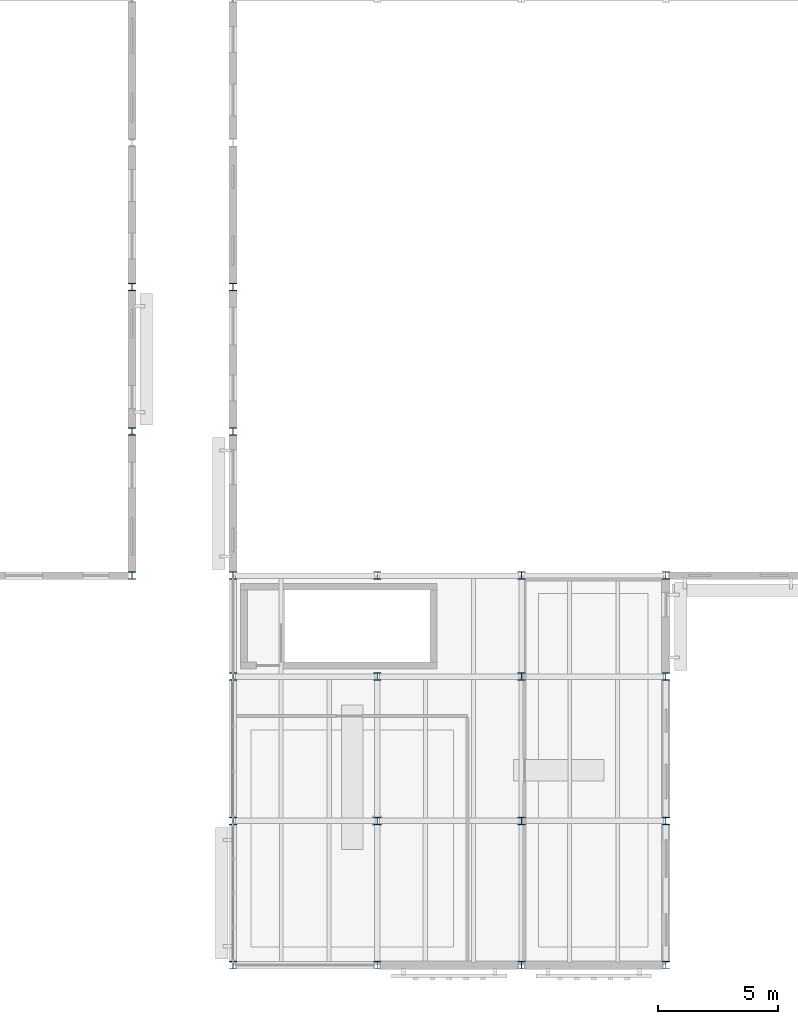
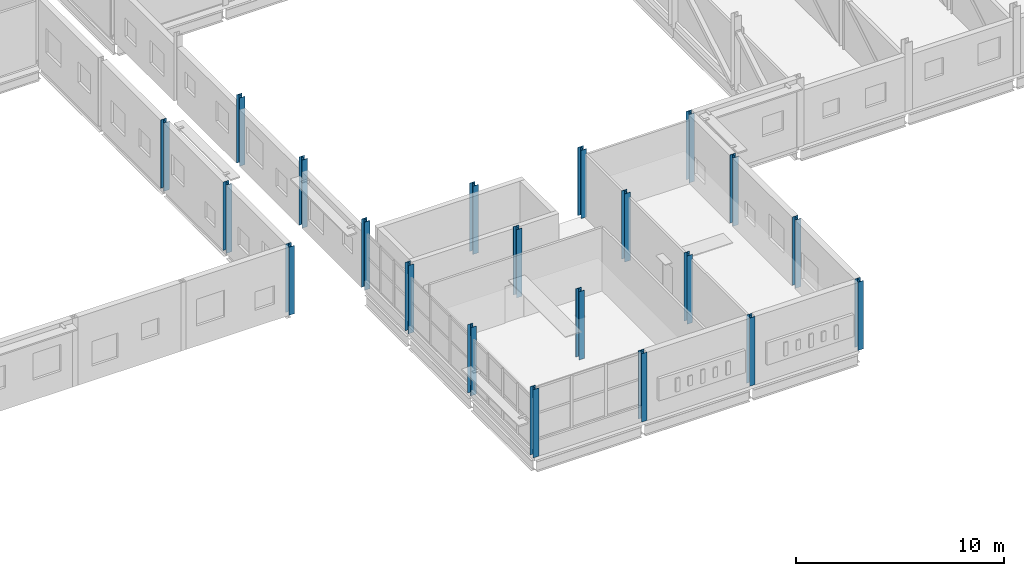
# One storey, part 2 of 92: 21 columns.
"""IFC4 building model written with IfcOpenShell, lengths in metres."""

from ifc_helpers import new_model, si_unit, direction, frame, origin, origin_2d, place, context, subcontext, project, spatial, i_section, extrude, material, material_profile, profile_set, type_object, element, save


model = new_model("IFC4")

# Units and contexts
model_context = context("Model", 3, precision=1e-05, world=origin(), true_north=direction((0.0, 1.0)))
body_context = subcontext(model_context, "Body", "Model", "MODEL_VIEW")
ifc_project = project(units=[si_unit("LENGTHUNIT", "METRE"), si_unit("AREAUNIT", "SQUARE_METRE"), si_unit("VOLUMEUNIT", "CUBIC_METRE"), si_unit("PLANEANGLEUNIT", "RADIAN"), si_unit("MASSUNIT", "GRAM", prefix="KILO")], contexts=[model_context])

# Site, building, storey
site_placement = place(None, origin())
site = spatial("IfcSite", under=ifc_project, at=site_placement, CompositionType="ELEMENT")
building_placement = place(site_placement, origin())
building = spatial("IfcBuilding", under=site, at=building_placement, Name="Siltcreek Boulevard Central Fire Station", CompositionType="ELEMENT")
storey_placement = place(building_placement, frame((0.0, 0.0, 6.0)))
storey = spatial("IfcBuildingStorey", under=building, at=storey_placement, Name="L02", CompositionType="ELEMENT", Elevation=6.0)

# Columns
ifc_material = material(Name="Structural steel ASTM A992 Gr50", Category="steel")
ifc_material_profile = material_profile(ifc_material, i_section(OverallWidth=0.306884765625, OverallDepth=0.31396484375, WebThickness=0.010986328125, FlangeThickness=0.018798828125, at=origin_2d()), Name="W310X118")
ifc_profile_set = profile_set([ifc_material_profile], Name="Structural steel ASTM A992 Gr50")
column_type = type_object("IfcColumnType", Name="COL_W310X118", PredefinedType="COLUMN", material=ifc_profile_set)
for number, where, z_axis, x_axis, name in (
    (1, (42.0, 1.800048828125, 0.0), (0.0, 0.0, 1.0), (1.0, 0.0, 0.0), "L02 structural column COLG-L02-420-18"),
    (2, (42.0, 7.800048828125, 0.0), (0.0, 0.0, 1.0), (1.0, 0.0, 0.0), "L02 structural column COLG-L02-420-78"),
    (3, (42.0, 13.800048828125, 0.0), (0.0, 0.0, 1.0), (1.0, 0.0, 0.0), "L02 structural column COLG-L02-420-138"),
    (4, (42.0, 18.0, 0.0), (0.0, 0.0, 1.0), (1.0, 0.0, 0.0), "L02 structural column COLG-L02-420-180"),
    (5, (48.0, 1.800048828125, 0.0), (0.0, 0.0, 1.0), (1.0, 0.0, 0.0), "L02 structural column COLG-L02-480-18"),
    (6, (48.0, 7.800048828125, 0.0), (0.0, 0.0, 1.0), (1.0, 0.0, 0.0), "L02 structural column COLG-L02-480-78"),
    (7, (48.0, 13.800048828125, 0.0), (0.0, 0.0, 1.0), (1.0, 0.0, 0.0), "L02 structural column COLG-L02-480-138"),
    (8, (48.0, 18.0, 0.0), (0.0, 0.0, 1.0), (1.0, 0.0, 0.0), "L02 structural column COLG-L02-480-180"),
    (9, (54.0, 1.800048828125, 0.0), (0.0, 0.0, 1.0), (1.0, 0.0, 0.0), "L02 structural column COLG-L02-540-18"),
    (10, (54.0, 7.800048828125, 0.0), (0.0, 0.0, 1.0), (1.0, 0.0, 0.0), "L02 structural column COLG-L02-540-78"),
    (11, (54.0, 13.800048828125, 0.0), (0.0, 0.0, 1.0), (1.0, 0.0, 0.0), "L02 structural column COLG-L02-540-138"),
    (12, (54.0, 18.0, 0.0), (0.0, 0.0, 1.0), (1.0, 0.0, 0.0), "L02 structural column COLG-L02-540-180"),
    (13, (60.0, 1.800048828125, 0.0), (0.0, 0.0, 1.0), (1.0, 0.0, 0.0), "L02 structural column COLG-L02-600-18"),
    (14, (60.0, 7.800048828125, 0.0), (0.0, 0.0, 1.0), (1.0, 0.0, 0.0), "L02 structural column COLG-L02-600-78"),
    (15, (60.0, 13.800048828125, 0.0), (0.0, 0.0, 1.0), (1.0, 0.0, 0.0), "L02 structural column COLG-L02-600-138"),
    (16, (60.0, 18.0, 0.0), (0.0, 0.0, 1.0), (1.0, 0.0, 0.0), "L02 structural column COLG-L02-600-180"),
    (17, (37.800048828125, 18.0, 0.0), (0.0, 0.0, 1.0), (1.0, 0.0, 0.0), "L02 structural column COLG-L02-378-180"),
    (18, (37.800048828125, 24.0, 0.0), (0.0, 0.0, 1.0), (1.0, 0.0, 0.0), "L02 structural column COLG-L02-378-240"),
    (19, (37.800048828125, 30.0, 0.0), (0.0, 0.0, 1.0), (1.0, 0.0, 0.0), "L02 structural column COLG-L02-378-300"),
    (20, (42.0, 24.0, 0.0), (0.0, 0.0, 1.0), (1.0, 0.0, 0.0), "L02 structural column COLG-L02-420-240"),
    (21, (42.0, 30.0, 0.0), (0.0, 0.0, 1.0), (1.0, 0.0, 0.0), "L02 structural column COLG-L02-420-300"),
):
    element("IfcColumn", number, at=place(storey_placement, frame(where, z_axis=z_axis, x_axis=x_axis)), inside=storey, type_object=column_type, Name=name, PredefinedType="COLUMN", context=body_context, shape_type="SweptSolid", body=[
        extrude(i_section(OverallWidth=0.306884765625, OverallDepth=0.31396484375, WebThickness=0.010986328125, FlangeThickness=0.018798828125, at=origin_2d()), origin(), (0.0, 0.0, 1.0), 4.0),
    ])

save(model, "model.ifc")
